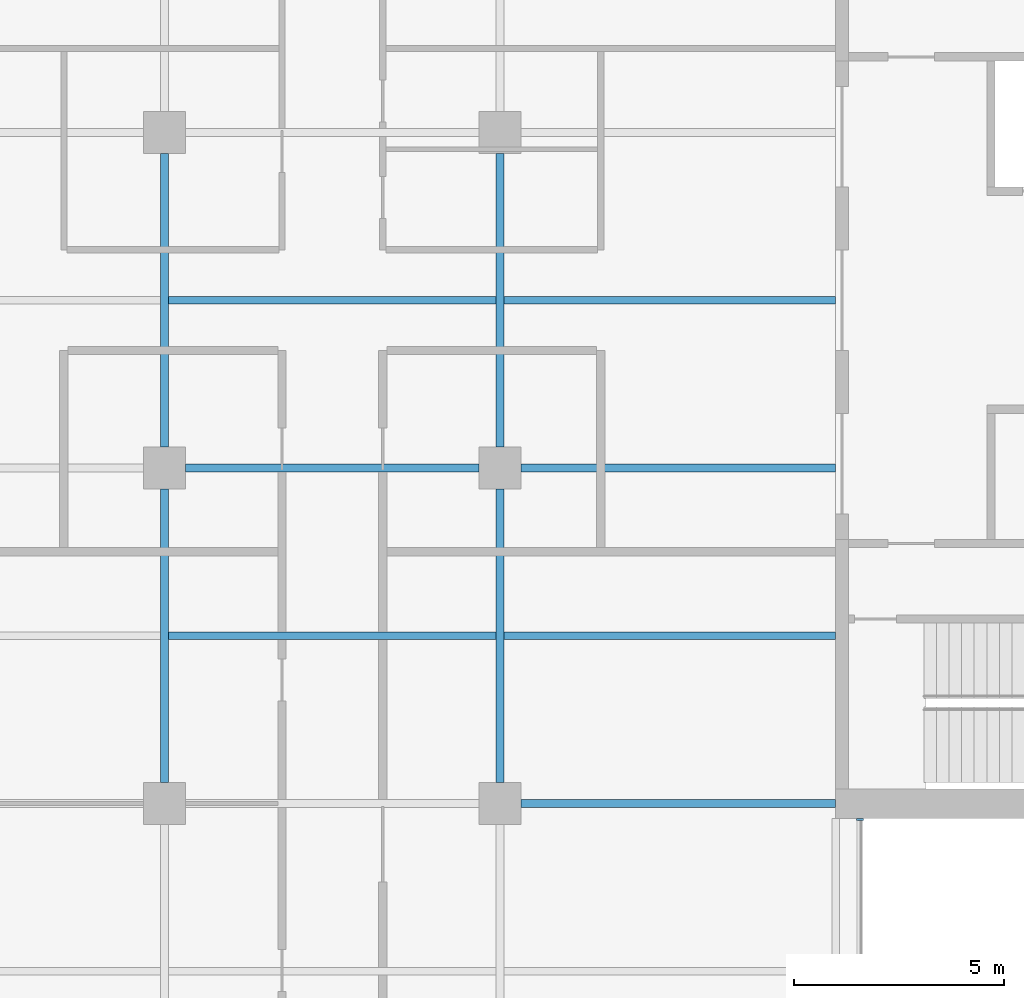
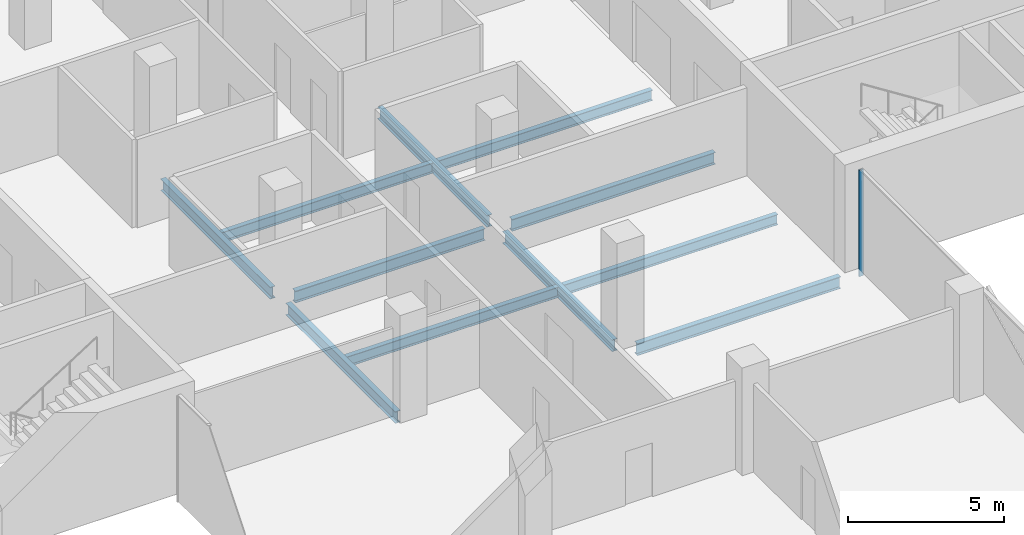
# One storey, part 6 of 22: 11 beams, 1 member, 1 element without a shape of its own.
"""IFC4 building model written with IfcOpenShell, lengths in metres."""

from ifc_helpers import new_model, si_unit, direction, frame, origin, origin_2d, place, context, subcontext, project, spatial, rectangle, i_section, extrude, material, material_profile, profile_set, type_object, element, aggregate, save


model = new_model("IFC4")

# Units and contexts
model_context = context("Model", 3, precision=1e-05, world=origin(), true_north=direction((0.0, 1.0)))
body_context = subcontext(model_context, "Body", "Model", "MODEL_VIEW")
ifc_project = project(units=[si_unit("LENGTHUNIT", "METRE"), si_unit("AREAUNIT", "SQUARE_METRE"), si_unit("VOLUMEUNIT", "CUBIC_METRE"), si_unit("PLANEANGLEUNIT", "RADIAN"), si_unit("MASSUNIT", "GRAM", prefix="KILO")], contexts=[model_context])

# Site, building, storey
site_placement = place(None, origin())
site = spatial("IfcSite", under=ifc_project, at=site_placement, CompositionType="ELEMENT")
building_placement = place(site_placement, origin())
building = spatial("IfcBuilding", under=site, at=building_placement, Name="Crosswind Convention Tower", CompositionType="ELEMENT")
storey_placement = place(building_placement, frame((0.0, 0.0, 146.300048828125)))
storey = spatial("IfcBuildingStorey", under=building, at=storey_placement, Name="L30", CompositionType="ELEMENT", Elevation=146.300048828125)

# Beams
ifc_material_1 = material(Name="Steel S355", Category="steel")
ifc_material_profile_1 = material_profile(ifc_material_1, i_section(OverallWidth=0.19140625, OverallDepth=0.460205078125, WebThickness=0.010009765625, FlangeThickness=0.01611328125, FilletRadius=0.01025390625, at=origin_2d()), Name="UB 457x191x82")
ifc_profile_set_1 = profile_set([ifc_material_profile_1], Name="Steel S355")
beam_type_1 = type_object("IfcBeamType", Name="Girder UB 457x191x82", PredefinedType="BEAM", material=ifc_profile_set_1)
for number, where, z_axis, x_axis, name in (
    (1, (121.0, 88.5, -0.530029296875), (0.0, 1.0, 0.0), (-1.0, 0.0, 0.0), "B3 L30 girder 5"),
    (2, (121.0, 96.5, -0.530029296875), (0.0, 1.0, 0.0), (-1.0, 0.0, 0.0), "B3 L30 girder 6"),
    (3, (121.5, 96.0, -0.530029296875), (1.0, 0.0, 0.0), (0.0, 1.0, 0.0), "B3 L30 girder 12"),
    (4, (129.0, 88.5, -0.530029296875), (0.0, 1.0, 0.0), (-1.0, 0.0, 0.0), "B3 L30 girder 18"),
    (5, (129.0, 96.5, -0.530029296875), (0.0, 1.0, 0.0), (-1.0, 0.0, 0.0), "B3 L30 girder 19"),
):
    element("IfcBeam", number, at=place(storey_placement, frame(where, z_axis=z_axis, x_axis=x_axis)), inside=storey, type_object=beam_type_1, Name=name, PredefinedType="BEAM", context=body_context, shape_type="SweptSolid", body=[
        extrude(i_section(OverallWidth=0.19140625, OverallDepth=0.460205078125, WebThickness=0.010009765625, FlangeThickness=0.01611328125, FilletRadius=0.01025390625, at=origin_2d()), origin(), (0.0, 0.0, 1.0), 7.0),
    ])
ifc_material_profile_2 = material_profile(ifc_material_1, i_section(OverallWidth=0.19189453125, OverallDepth=0.463623046875, WebThickness=0.010498046875, FlangeThickness=0.017578125, FilletRadius=0.01025390625, at=origin_2d()), Name="UB 457x191x90")
ifc_profile_set_2 = profile_set([ifc_material_profile_2], Name="Steel S355")
beam_type_2 = type_object("IfcBeamType", Name="Girder at core wall UB 457x191x90", PredefinedType="BEAM", material=ifc_profile_set_2)
for number, where, z_axis, x_axis, name in (
    (6, (129.5, 88.0, -0.53173828125), (1.0, 0.0, 0.0), (0.0, 1.0, 0.0), "B24 L30 girder at core wall 7"),
    (7, (129.5, 96.0, -0.53173828125), (1.0, 0.0, 0.0), (0.0, 1.0, 0.0), "B24 L30 girder at core wall 8"),
):
    element("IfcBeam", number, at=place(storey_placement, frame(where, z_axis=z_axis, x_axis=x_axis)), inside=storey, type_object=beam_type_2, Name=name, PredefinedType="BEAM", context=body_context, shape_type="SweptSolid", body=[
        extrude(i_section(OverallWidth=0.19189453125, OverallDepth=0.463623046875, WebThickness=0.010498046875, FlangeThickness=0.017578125, FilletRadius=0.01025390625, at=origin_2d()), origin(), (0.0, 0.0, 1.0), 7.5),
    ])

# Curtain wall, member
ifc_material_2 = material(Name="Aluminium unitised curtain wall", Category="aluminium")
curtain_wall_type = type_object("IfcCurtainWallType", Name="CORE END SLOT WALL 160", PredefinedType="USERDEFINED", material=ifc_material_2)
curtain_wall_placement = place(storey_placement, origin())
curtain_wall = element("IfcCurtainWall", 8, at=curtain_wall_placement, inside=storey, type_object=curtain_wall_type, Name="CW6 L30 S-E.1-2 slot", ObjectType="UNITISED", PredefinedType="USERDEFINED")
ifc_material_3 = material(Name="Aluminium mullion", Category="aluminium")
ifc_material_profile_3 = material_profile(ifc_material_3, rectangle(XDim=0.159912109375, YDim=0.050048828125, at=origin_2d()), Name="AL 160X50")
ifc_profile_set_3 = profile_set([ifc_material_profile_3], Name="Aluminium mullion")
member_type = type_object("IfcMemberType", Name="MULLION 50X160", PredefinedType="MULLION", material=ifc_profile_set_3)
member_placement = place(storey_placement, frame((137.580078125, 87.625, -0.300048828125), z_axis=(0.0, 0.0, 1.0), x_axis=(1.0, 0.0, 0.0)))
member = element("IfcMember", 9, at=member_placement, type_object=member_type, Name="CW6 mullion 2", PredefinedType="MULLION", context=body_context, shape_type="SweptSolid", body=[
    extrude(rectangle(XDim=0.159912109375, YDim=0.050048828125, at=origin_2d()), origin(), (0.0, 0.0, 1.0), 4.14990234375),
])
aggregate(curtain_wall, [member])

# Beams
ifc_material_profile_4 = material_profile(ifc_material_1, i_section(OverallWidth=0.177734375, OverallDepth=0.406494140625, WebThickness=0.0078125, FlangeThickness=0.0126953125, FilletRadius=0.01025390625, at=origin_2d()), Name="UB 406x178x60")
ifc_profile_set_4 = profile_set([ifc_material_profile_4], Name="Steel S355")
beam_type_3 = type_object("IfcBeamType", Name="Secondary beam UB 406x178x60", PredefinedType="JOIST", material=ifc_profile_set_4)
for number, where, z_axis, x_axis, name in (
    (10, (121.095703125, 92.0, -0.503173828125), (1.0, 0.0, 0.0), (0.0, 1.0, 0.0), "B10 L30 secondary beam 13"),
    (11, (121.095703125, 100.0, -0.503173828125), (1.0, 0.0, 0.0), (0.0, 1.0, 0.0), "B10 L30 secondary beam 14"),
):
    element("IfcBeam", number, at=place(storey_placement, frame(where, z_axis=z_axis, x_axis=x_axis)), inside=storey, type_object=beam_type_3, Name=name, PredefinedType="JOIST", context=body_context, shape_type="SweptSolid", body=[
        extrude(i_section(OverallWidth=0.177734375, OverallDepth=0.406494140625, WebThickness=0.0078125, FlangeThickness=0.0126953125, FilletRadius=0.01025390625, at=origin_2d()), origin(), (0.0, 0.0, 1.0), 7.80859375),
    ])
for number, where, z_axis, x_axis, name in (
    (12, (129.095703125, 92.0, -0.503173828125), (1.0, 0.0, 0.0), (0.0, 1.0, 0.0), "B10 L30 secondary beam 20"),
    (13, (129.095703125, 100.0, -0.503173828125), (1.0, 0.0, 0.0), (0.0, 1.0, 0.0), "B10 L30 secondary beam 21"),
):
    element("IfcBeam", number, at=place(storey_placement, frame(where, z_axis=z_axis, x_axis=x_axis)), inside=storey, type_object=beam_type_3, Name=name, PredefinedType="JOIST", context=body_context, shape_type="SweptSolid", body=[
        extrude(i_section(OverallWidth=0.177734375, OverallDepth=0.406494140625, WebThickness=0.0078125, FlangeThickness=0.0126953125, FilletRadius=0.01025390625, at=origin_2d()), origin(), (0.0, 0.0, 1.0), 7.904296875),
    ])

save(model, "model.ifc")
